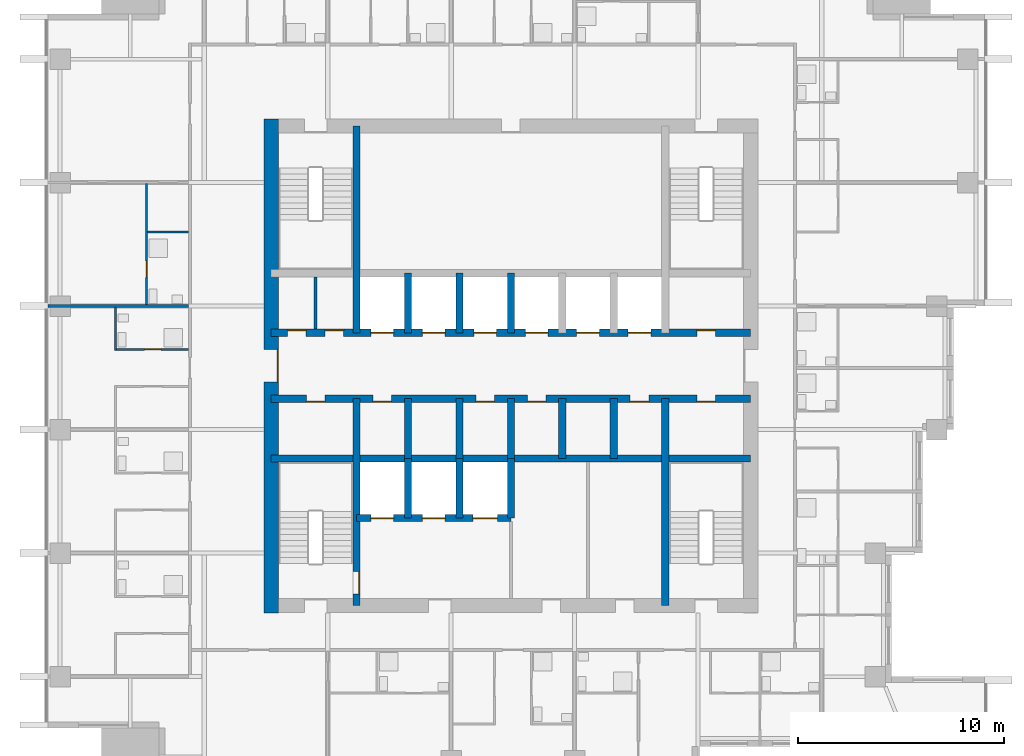
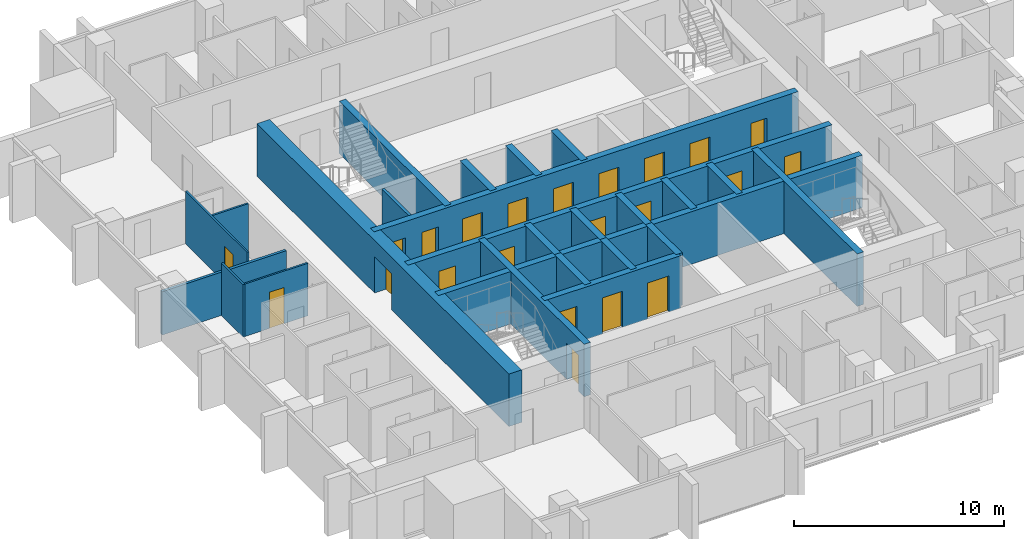
# One storey, part 5 of 10: 25 walls, 22 doors, 22 openings.
"""IFC4 building model written with IfcOpenShell, lengths in metres."""

from ifc_helpers import new_model, si_unit, direction, frame, frame_2d, origin, place, context, subcontext, project, spatial, rectangle, extrude, material, layer, layer_set, type_object, element, fill, save


model = new_model("IFC4")

# Units and contexts
model_context = context("Model", 3, precision=1e-05, world=origin(), true_north=direction((0.0, 1.0)))
body_context = subcontext(model_context, "Body", "Model", "MODEL_VIEW")
ifc_project = project(units=[si_unit("LENGTHUNIT", "METRE"), si_unit("AREAUNIT", "SQUARE_METRE"), si_unit("VOLUMEUNIT", "CUBIC_METRE"), si_unit("PLANEANGLEUNIT", "RADIAN"), si_unit("MASSUNIT", "GRAM", prefix="KILO")], contexts=[model_context])

# Site, building, storey
site_placement = place(None, origin())
site = spatial("IfcSite", under=ifc_project, at=site_placement, CompositionType="ELEMENT")
building_placement = place(site_placement, origin())
building = spatial("IfcBuilding", under=site, at=building_placement, Name="Amberfall Residences", CompositionType="ELEMENT")
storey_placement = place(building_placement, frame((0.0, 0.0, 158.199951171875)))
storey = spatial("IfcBuildingStorey", under=building, at=storey_placement, Name="L42", CompositionType="ELEMENT", Elevation=158.199951171875)

# Wall
ifc_material_1 = material(Name="Concrete C60", Category="concrete")
ifc_layer_1 = layer(ifc_material_1, 0.35009765625)
ifc_layer_set_1 = layer_set([ifc_layer_1], Name="Core wall 350 C60")
wall_type_1 = type_object("IfcWallType", Name="Core wall 350 C60", PredefinedType="SHEAR", material=ifc_layer_set_1)
wall_1_placement = place(storey_placement, frame((62.85009765625, 41.0, 0.0), z_axis=(0.0, 0.0, 1.0), x_axis=(1.0, 0.0, 0.0)))
element("IfcWall", 1, at=wall_1_placement, inside=storey, type_object=wall_type_1, Name="Core wall RW6 L42 H75", PredefinedType="SHEAR", context=body_context, shape_type="SweptSolid", body=[
    extrude(rectangle(XDim=23.2998046875, YDim=0.35009765625, at=frame_2d((11.64990234375, 0.0))), origin(), (0.0, 0.0, 1.0), 3.050048828125),
])

# Wall, openings, doors
wall_2_placement = place(storey_placement, frame((62.85009765625, 43.89990234375, 0.0), z_axis=(0.0, 0.0, 1.0), x_axis=(1.0, 0.0, 0.0)))
wall_2 = element("IfcWall", 2, at=wall_2_placement, inside=storey, type_object=wall_type_1, Name="Core wall RW6 L42 H104", PredefinedType="SHEAR", context=body_context, shape_type="SweptSolid", body=[
    extrude(rectangle(XDim=23.2998046875, YDim=0.35009765625, at=frame_2d((11.64990234375, 0.0))), origin(), (0.0, 0.0, 1.0), 3.050048828125),
])
opening_1_placement = place(wall_2_placement, frame((1.71240234375, 0.0, 0.0)))
opening_1 = element("IfcOpeningElement", 3, at=opening_1_placement, cuts=wall_2, Name="Opening RD1", PredefinedType="OPENING", context=body_context, shape_type="SweptSolid", body=[
    extrude(rectangle(XDim=0.89990234375, YDim=2.10009765625, at=frame_2d((0.449951171875, 1.050048828125))), frame((0.0, 0.18505859375, 0.0), z_axis=(0.0, -1.0, 0.0), x_axis=(1.0, 0.0, 0.0)), (0.0, 0.0, 1.0), 0.3701171875),
])
opening_2_placement = place(wall_2_placement, frame((20.6875, 0.0, 0.0)))
opening_2 = element("IfcOpeningElement", 4, at=opening_2_placement, cuts=wall_2, Name="Opening RD1", PredefinedType="OPENING", context=body_context, shape_type="SweptSolid", body=[
    extrude(rectangle(XDim=0.89990234375, YDim=2.10009765625, at=frame_2d((0.449951171875, 1.050048828125))), frame((0.0, 0.18505859375, 0.0), z_axis=(0.0, -1.0, 0.0), x_axis=(1.0, 0.0, 0.0)), (0.0, 0.0, 1.0), 0.3701171875),
])
opening_3_placement = place(wall_2_placement, frame((4.949951171875, 0.0, 0.0)))
opening_3 = element("IfcOpeningElement", 5, at=opening_3_placement, cuts=wall_2, Name="Opening RD1", PredefinedType="OPENING", context=body_context, shape_type="SweptSolid", body=[
    extrude(rectangle(XDim=0.89990234375, YDim=2.10009765625, at=frame_2d((0.449951171875, 1.050048828125))), frame((0.0, 0.18505859375, 0.0), z_axis=(0.0, -1.0, 0.0), x_axis=(1.0, 0.0, 0.0)), (0.0, 0.0, 1.0), 0.3701171875),
])
opening_4_placement = place(wall_2_placement, frame((9.949951171875, 0.0, 0.0)))
opening_4 = element("IfcOpeningElement", 6, at=opening_4_placement, cuts=wall_2, Name="Opening RD1", PredefinedType="OPENING", context=body_context, shape_type="SweptSolid", body=[
    extrude(rectangle(XDim=0.89990234375, YDim=2.10009765625, at=frame_2d((0.449951171875, 1.050048828125))), frame((0.0, 0.18505859375, 0.0), z_axis=(0.0, -1.0, 0.0), x_axis=(1.0, 0.0, 0.0)), (0.0, 0.0, 1.0), 0.3701171875),
])
opening_5_placement = place(wall_2_placement, frame((12.449951171875, 0.0, 0.0)))
opening_5 = element("IfcOpeningElement", 7, at=opening_5_placement, cuts=wall_2, Name="Opening RD1", PredefinedType="OPENING", context=body_context, shape_type="SweptSolid", body=[
    extrude(rectangle(XDim=0.89990234375, YDim=2.10009765625, at=frame_2d((0.449951171875, 1.050048828125))), frame((0.0, 0.18505859375, 0.0), z_axis=(0.0, -1.0, 0.0), x_axis=(1.0, 0.0, 0.0)), (0.0, 0.0, 1.0), 0.3701171875),
])
opening_6_placement = place(wall_2_placement, frame((17.449951171875, 0.0, 0.0)))
opening_6 = element("IfcOpeningElement", 8, at=opening_6_placement, cuts=wall_2, Name="Opening RD1", PredefinedType="OPENING", context=body_context, shape_type="SweptSolid", body=[
    extrude(rectangle(XDim=0.89990234375, YDim=2.10009765625, at=frame_2d((0.449951171875, 1.050048828125))), frame((0.0, 0.18505859375, 0.0), z_axis=(0.0, -1.0, 0.0), x_axis=(1.0, 0.0, 0.0)), (0.0, 0.0, 1.0), 0.3701171875),
])
ifc_material_2 = material(Name="Steel fire door set", Category="steel")
door_type_1 = type_object("IfcDoorType", Name="Service room door 900 x 2100", OperationType="SINGLE_SWING_LEFT", PredefinedType="DOOR", material=ifc_material_2)
door_1_placement = place(opening_1_placement, origin())
door_1 = element("IfcDoor", 9, at=door_1_placement, inside=storey, type_object=door_type_1, Name="RD1 L42", OperationType="SINGLE_SWING_LEFT", OverallHeight=2.10009765625, OverallWidth=0.89990234375, PredefinedType="DOOR", context=body_context, shape_type="SweptSolid", body=[
    extrude(rectangle(XDim=0.89990234375, YDim=2.10009765625, at=frame_2d((0.449951171875, 1.050048828125))), frame((0.0, -0.1123046875, 0.0), z_axis=(0.0, -1.0, 0.0), x_axis=(1.0, 0.0, 0.0)), (0.0, 0.0, 1.0), 0.050048828125),
])
fill(opening_1, door_1)
door_2_placement = place(opening_2_placement, origin())
door_2 = element("IfcDoor", 10, at=door_2_placement, inside=storey, type_object=door_type_1, Name="RD1 L42", OperationType="SINGLE_SWING_LEFT", OverallHeight=2.10009765625, OverallWidth=0.89990234375, PredefinedType="DOOR", context=body_context, shape_type="SweptSolid", body=[
    extrude(rectangle(XDim=0.89990234375, YDim=2.10009765625, at=frame_2d((0.449951171875, 1.050048828125))), frame((0.0, -0.1123046875, 0.0), z_axis=(0.0, -1.0, 0.0), x_axis=(1.0, 0.0, 0.0)), (0.0, 0.0, 1.0), 0.050048828125),
])
fill(opening_2, door_2)
door_3_placement = place(opening_3_placement, origin())
door_3 = element("IfcDoor", 11, at=door_3_placement, inside=storey, type_object=door_type_1, Name="RD1 L42", OperationType="SINGLE_SWING_RIGHT", OverallHeight=2.10009765625, OverallWidth=0.89990234375, PredefinedType="DOOR", context=body_context, shape_type="SweptSolid", body=[
    extrude(rectangle(XDim=0.89990234375, YDim=2.10009765625, at=frame_2d((0.449951171875, 1.050048828125))), frame((0.0, -0.1123046875, 0.0), z_axis=(0.0, -1.0, 0.0), x_axis=(1.0, 0.0, 0.0)), (0.0, 0.0, 1.0), 0.050048828125),
])
fill(opening_3, door_3)
door_4_placement = place(opening_4_placement, origin())
door_4 = element("IfcDoor", 12, at=door_4_placement, inside=storey, type_object=door_type_1, Name="RD1 L42", OperationType="SINGLE_SWING_RIGHT", OverallHeight=2.10009765625, OverallWidth=0.89990234375, PredefinedType="DOOR", context=body_context, shape_type="SweptSolid", body=[
    extrude(rectangle(XDim=0.89990234375, YDim=2.10009765625, at=frame_2d((0.449951171875, 1.050048828125))), frame((0.0, -0.1123046875, 0.0), z_axis=(0.0, -1.0, 0.0), x_axis=(1.0, 0.0, 0.0)), (0.0, 0.0, 1.0), 0.050048828125),
])
fill(opening_4, door_4)
door_5_placement = place(opening_5_placement, origin())
door_5 = element("IfcDoor", 13, at=door_5_placement, inside=storey, type_object=door_type_1, Name="RD1 L42", OperationType="SINGLE_SWING_LEFT", OverallHeight=2.10009765625, OverallWidth=0.89990234375, PredefinedType="DOOR", context=body_context, shape_type="SweptSolid", body=[
    extrude(rectangle(XDim=0.89990234375, YDim=2.10009765625, at=frame_2d((0.449951171875, 1.050048828125))), frame((0.0, -0.1123046875, 0.0), z_axis=(0.0, -1.0, 0.0), x_axis=(1.0, 0.0, 0.0)), (0.0, 0.0, 1.0), 0.050048828125),
])
fill(opening_5, door_5)
door_6_placement = place(opening_6_placement, origin())
door_6 = element("IfcDoor", 14, at=door_6_placement, inside=storey, type_object=door_type_1, Name="RD1 L42", OperationType="SINGLE_SWING_LEFT", OverallHeight=2.10009765625, OverallWidth=0.89990234375, PredefinedType="DOOR", context=body_context, shape_type="SweptSolid", body=[
    extrude(rectangle(XDim=0.89990234375, YDim=2.10009765625, at=frame_2d((0.449951171875, 1.050048828125))), frame((0.0, -0.1123046875, 0.0), z_axis=(0.0, -1.0, 0.0), x_axis=(1.0, 0.0, 0.0)), (0.0, 0.0, 1.0), 0.050048828125),
])
fill(opening_6, door_6)

wall_3_placement = place(storey_placement, frame((62.85009765625, 47.10009765625, 0.0), z_axis=(0.0, 0.0, 1.0), x_axis=(1.0, 0.0, 0.0)))
wall_3 = element("IfcWall", 15, at=wall_3_placement, inside=storey, type_object=wall_type_1, Name="Core wall RW6 L42 H136", PredefinedType="SHEAR", context=body_context, shape_type="SweptSolid", body=[
    extrude(rectangle(XDim=23.2998046875, YDim=0.35009765625, at=frame_2d((11.64990234375, 0.0))), origin(), (0.0, 0.0, 1.0), 3.050048828125),
])
opening_7_placement = place(wall_3_placement, frame((0.806396484375, 0.0, 0.0)))
opening_7 = element("IfcOpeningElement", 16, at=opening_7_placement, cuts=wall_3, Name="Opening RD1", PredefinedType="OPENING", context=body_context, shape_type="SweptSolid", body=[
    extrude(rectangle(XDim=0.89990234375, YDim=2.10009765625, at=frame_2d((0.449951171875, 1.050048828125))), frame((0.0, 0.18505859375, 0.0), z_axis=(0.0, -1.0, 0.0), x_axis=(1.0, 0.0, 0.0)), (0.0, 0.0, 1.0), 0.3701171875),
])
opening_8_placement = place(wall_3_placement, frame((2.618896484375, 0.0, 0.0)))
opening_8 = element("IfcOpeningElement", 17, at=opening_8_placement, cuts=wall_3, Name="Opening RD1", PredefinedType="OPENING", context=body_context, shape_type="SweptSolid", body=[
    extrude(rectangle(XDim=0.89990234375, YDim=2.10009765625, at=frame_2d((0.449951171875, 1.050048828125))), frame((0.0, 0.18505859375, 0.0), z_axis=(0.0, -1.0, 0.0), x_axis=(1.0, 0.0, 0.0)), (0.0, 0.0, 1.0), 0.3701171875),
])
opening_9_placement = place(wall_3_placement, frame((20.6875, 0.0, 0.0)))
opening_9 = element("IfcOpeningElement", 18, at=opening_9_placement, cuts=wall_3, Name="Opening RD1", PredefinedType="OPENING", context=body_context, shape_type="SweptSolid", body=[
    extrude(rectangle(XDim=0.89990234375, YDim=2.10009765625, at=frame_2d((0.449951171875, 1.050048828125))), frame((0.0, 0.18505859375, 0.0), z_axis=(0.0, -1.0, 0.0), x_axis=(1.0, 0.0, 0.0)), (0.0, 0.0, 1.0), 0.3701171875),
])
opening_10_placement = place(wall_3_placement, frame((4.85009765625, 0.0, 0.0)))
opening_10 = element("IfcOpeningElement", 19, at=opening_10_placement, cuts=wall_3, Name="Opening LD1", PredefinedType="OPENING", context=body_context, shape_type="SweptSolid", body=[
    extrude(rectangle(XDim=1.10009765625, YDim=2.10009765625, at=frame_2d((0.550048828125, 1.050048828125))), frame((0.0, 0.18505859375, 0.0), z_axis=(0.0, -1.0, 0.0), x_axis=(1.0, 0.0, 0.0)), (0.0, 0.0, 1.0), 0.3701171875),
])
opening_11_placement = place(wall_3_placement, frame((7.35009765625, 0.0, 0.0)))
opening_11 = element("IfcOpeningElement", 20, at=opening_11_placement, cuts=wall_3, Name="Opening LD1", PredefinedType="OPENING", context=body_context, shape_type="SweptSolid", body=[
    extrude(rectangle(XDim=1.10009765625, YDim=2.10009765625, at=frame_2d((0.550048828125, 1.050048828125))), frame((0.0, 0.18505859375, 0.0), z_axis=(0.0, -1.0, 0.0), x_axis=(1.0, 0.0, 0.0)), (0.0, 0.0, 1.0), 0.3701171875),
])
opening_12_placement = place(wall_3_placement, frame((9.85009765625, 0.0, 0.0)))
opening_12 = element("IfcOpeningElement", 21, at=opening_12_placement, cuts=wall_3, Name="Opening LD1", PredefinedType="OPENING", context=body_context, shape_type="SweptSolid", body=[
    extrude(rectangle(XDim=1.10009765625, YDim=2.10009765625, at=frame_2d((0.550048828125, 1.050048828125))), frame((0.0, 0.18505859375, 0.0), z_axis=(0.0, -1.0, 0.0), x_axis=(1.0, 0.0, 0.0)), (0.0, 0.0, 1.0), 0.3701171875),
])
opening_13_placement = place(wall_3_placement, frame((12.35009765625, 0.0, 0.0)))
opening_13 = element("IfcOpeningElement", 22, at=opening_13_placement, cuts=wall_3, Name="Opening LD1", PredefinedType="OPENING", context=body_context, shape_type="SweptSolid", body=[
    extrude(rectangle(XDim=1.10009765625, YDim=2.10009765625, at=frame_2d((0.550048828125, 1.050048828125))), frame((0.0, 0.18505859375, 0.0), z_axis=(0.0, -1.0, 0.0), x_axis=(1.0, 0.0, 0.0)), (0.0, 0.0, 1.0), 0.3701171875),
])
opening_14_placement = place(wall_3_placement, frame((14.85009765625, 0.0, 0.0)))
opening_14 = element("IfcOpeningElement", 23, at=opening_14_placement, cuts=wall_3, Name="Opening LD1", PredefinedType="OPENING", context=body_context, shape_type="SweptSolid", body=[
    extrude(rectangle(XDim=1.10009765625, YDim=2.10009765625, at=frame_2d((0.550048828125, 1.050048828125))), frame((0.0, 0.18505859375, 0.0), z_axis=(0.0, -1.0, 0.0), x_axis=(1.0, 0.0, 0.0)), (0.0, 0.0, 1.0), 0.3701171875),
])
opening_15_placement = place(wall_3_placement, frame((17.35009765625, 0.0, 0.0)))
opening_15 = element("IfcOpeningElement", 24, at=opening_15_placement, cuts=wall_3, Name="Opening LD1", PredefinedType="OPENING", context=body_context, shape_type="SweptSolid", body=[
    extrude(rectangle(XDim=1.10009765625, YDim=2.10009765625, at=frame_2d((0.550048828125, 1.050048828125))), frame((0.0, 0.18505859375, 0.0), z_axis=(0.0, -1.0, 0.0), x_axis=(1.0, 0.0, 0.0)), (0.0, 0.0, 1.0), 0.3701171875),
])
door_type_2 = type_object("IfcDoorType", Name="Lift landing door 1100 x 2100", OperationType="DOUBLE_DOOR_SLIDING", PredefinedType="DOOR", material=ifc_material_2)
door_7_placement = place(opening_10_placement, origin())
door_7 = element("IfcDoor", 25, at=door_7_placement, inside=storey, type_object=door_type_2, Name="Landing door HP1 L42", OperationType="DOUBLE_DOOR_SLIDING", OverallHeight=2.10009765625, OverallWidth=1.10009765625, PredefinedType="DOOR", context=body_context, shape_type="SweptSolid", body=[
    extrude(rectangle(XDim=1.10009765625, YDim=2.10009765625, at=frame_2d((0.550048828125, 1.050048828125))), frame((0.0, 0.02490234375, 0.0), z_axis=(0.0, -1.0, 0.0), x_axis=(1.0, 0.0, 0.0)), (0.0, 0.0, 1.0), 0.050048828125),
])
fill(opening_10, door_7)
door_8_placement = place(opening_11_placement, origin())
door_8 = element("IfcDoor", 26, at=door_8_placement, inside=storey, type_object=door_type_2, Name="Landing door HP2 L42", OperationType="DOUBLE_DOOR_SLIDING", OverallHeight=2.10009765625, OverallWidth=1.10009765625, PredefinedType="DOOR", context=body_context, shape_type="SweptSolid", body=[
    extrude(rectangle(XDim=1.10009765625, YDim=2.10009765625, at=frame_2d((0.550048828125, 1.050048828125))), frame((0.0, 0.02490234375, 0.0), z_axis=(0.0, -1.0, 0.0), x_axis=(1.0, 0.0, 0.0)), (0.0, 0.0, 1.0), 0.050048828125),
])
fill(opening_11, door_8)
door_9_placement = place(opening_12_placement, origin())
door_9 = element("IfcDoor", 27, at=door_9_placement, inside=storey, type_object=door_type_2, Name="Landing door HP3 L42", OperationType="DOUBLE_DOOR_SLIDING", OverallHeight=2.10009765625, OverallWidth=1.10009765625, PredefinedType="DOOR", context=body_context, shape_type="SweptSolid", body=[
    extrude(rectangle(XDim=1.10009765625, YDim=2.10009765625, at=frame_2d((0.550048828125, 1.050048828125))), frame((0.0, 0.02490234375, 0.0), z_axis=(0.0, -1.0, 0.0), x_axis=(1.0, 0.0, 0.0)), (0.0, 0.0, 1.0), 0.050048828125),
])
fill(opening_12, door_9)
door_10_placement = place(opening_13_placement, origin())
door_10 = element("IfcDoor", 28, at=door_10_placement, inside=storey, type_object=door_type_2, Name="Landing door HP4 L42", OperationType="DOUBLE_DOOR_SLIDING", OverallHeight=2.10009765625, OverallWidth=1.10009765625, PredefinedType="DOOR", context=body_context, shape_type="SweptSolid", body=[
    extrude(rectangle(XDim=1.10009765625, YDim=2.10009765625, at=frame_2d((0.550048828125, 1.050048828125))), frame((0.0, 0.02490234375, 0.0), z_axis=(0.0, -1.0, 0.0), x_axis=(1.0, 0.0, 0.0)), (0.0, 0.0, 1.0), 0.050048828125),
])
fill(opening_13, door_10)
door_11_placement = place(opening_14_placement, origin())
door_11 = element("IfcDoor", 29, at=door_11_placement, inside=storey, type_object=door_type_2, Name="Landing door HP5 L42", OperationType="DOUBLE_DOOR_SLIDING", OverallHeight=2.10009765625, OverallWidth=1.10009765625, PredefinedType="DOOR", context=body_context, shape_type="SweptSolid", body=[
    extrude(rectangle(XDim=1.10009765625, YDim=2.10009765625, at=frame_2d((0.550048828125, 1.050048828125))), frame((0.0, 0.02490234375, 0.0), z_axis=(0.0, -1.0, 0.0), x_axis=(1.0, 0.0, 0.0)), (0.0, 0.0, 1.0), 0.050048828125),
])
fill(opening_14, door_11)
door_12_placement = place(opening_15_placement, origin())
door_12 = element("IfcDoor", 30, at=door_12_placement, inside=storey, type_object=door_type_2, Name="Landing door HP6 L42", OperationType="DOUBLE_DOOR_SLIDING", OverallHeight=2.10009765625, OverallWidth=1.10009765625, PredefinedType="DOOR", context=body_context, shape_type="SweptSolid", body=[
    extrude(rectangle(XDim=1.10009765625, YDim=2.10009765625, at=frame_2d((0.550048828125, 1.050048828125))), frame((0.0, 0.02490234375, 0.0), z_axis=(0.0, -1.0, 0.0), x_axis=(1.0, 0.0, 0.0)), (0.0, 0.0, 1.0), 0.050048828125),
])
fill(opening_15, door_12)
door_13_placement = place(opening_7_placement, origin())
door_13 = element("IfcDoor", 31, at=door_13_placement, inside=storey, type_object=door_type_1, Name="RD1 L42", OperationType="SINGLE_SWING_LEFT", OverallHeight=2.10009765625, OverallWidth=0.89990234375, PredefinedType="DOOR", context=body_context, shape_type="SweptSolid", body=[
    extrude(rectangle(XDim=0.89990234375, YDim=2.10009765625, at=frame_2d((0.449951171875, 1.050048828125))), frame((0.0, 0.16259765625, 0.0), z_axis=(0.0, -1.0, 0.0), x_axis=(1.0, 0.0, 0.0)), (0.0, 0.0, 1.0), 0.050048828125),
])
fill(opening_7, door_13)
door_14_placement = place(opening_8_placement, origin())
door_14 = element("IfcDoor", 32, at=door_14_placement, inside=storey, type_object=door_type_1, Name="RD1 L42", OperationType="SINGLE_SWING_RIGHT", OverallHeight=2.10009765625, OverallWidth=0.89990234375, PredefinedType="DOOR", context=body_context, shape_type="SweptSolid", body=[
    extrude(rectangle(XDim=0.89990234375, YDim=2.10009765625, at=frame_2d((0.449951171875, 1.050048828125))), frame((0.0, 0.16259765625, 0.0), z_axis=(0.0, -1.0, 0.0), x_axis=(1.0, 0.0, 0.0)), (0.0, 0.0, 1.0), 0.050048828125),
])
fill(opening_8, door_14)
door_15_placement = place(opening_9_placement, origin())
door_15 = element("IfcDoor", 33, at=door_15_placement, inside=storey, type_object=door_type_1, Name="RD1 L42", OperationType="SINGLE_SWING_LEFT", OverallHeight=2.10009765625, OverallWidth=0.89990234375, PredefinedType="DOOR", context=body_context, shape_type="SweptSolid", body=[
    extrude(rectangle(XDim=0.89990234375, YDim=2.10009765625, at=frame_2d((0.449951171875, 1.050048828125))), frame((0.0, 0.16259765625, 0.0), z_axis=(0.0, -1.0, 0.0), x_axis=(1.0, 0.0, 0.0)), (0.0, 0.0, 1.0), 0.050048828125),
])
fill(opening_9, door_15)

# Wall, opening, door
wall_4_placement = place(storey_placement, frame((67.0, 33.85009765625, 0.0), z_axis=(0.0, 0.0, 1.0), x_axis=(0.0, 1.0, 0.0)))
wall_4 = element("IfcWall", 34, at=wall_4_placement, inside=storey, type_object=wall_type_1, Name="Core wall RW6 L42 V45S", PredefinedType="SHEAR", context=body_context, shape_type="SweptSolid", body=[
    extrude(rectangle(XDim=10.0498046875, YDim=0.35009765625, at=frame_2d((5.02490234375, 0.0))), origin(), (0.0, 0.0, 1.0), 3.050048828125),
])
opening_16_placement = place(wall_4_placement, frame((0.550048828125, 0.0, 0.0)))
opening_16 = element("IfcOpeningElement", 35, at=opening_16_placement, cuts=wall_4, Name="Opening FL1", PredefinedType="OPENING", context=body_context, shape_type="SweptSolid", body=[
    extrude(rectangle(XDim=1.10009765625, YDim=2.10009765625, at=frame_2d((0.550048828125, 1.050048828125))), frame((0.0, 0.18505859375, 0.0), z_axis=(0.0, -1.0, 0.0), x_axis=(1.0, 0.0, 0.0)), (0.0, 0.0, 1.0), 0.3701171875),
])
door_type_3 = type_object("IfcDoorType", Name="Firefighting lobby door 1100 x 2100", OperationType="SINGLE_SWING_LEFT", PredefinedType="DOOR", material=ifc_material_2)
door_16_placement = place(opening_16_placement, origin())
door_16 = element("IfcDoor", 36, at=door_16_placement, inside=storey, type_object=door_type_3, Name="FL1 L42", OperationType="SINGLE_SWING_RIGHT", OverallHeight=2.10009765625, OverallWidth=1.10009765625, PredefinedType="DOOR", context=body_context, shape_type="SweptSolid", body=[
    extrude(rectangle(XDim=1.10009765625, YDim=2.10009765625, at=frame_2d((0.550048828125, 1.050048828125))), frame((0.0, -0.1123046875, 0.0), z_axis=(0.0, -1.0, 0.0), x_axis=(1.0, 0.0, 0.0)), (0.0, 0.0, 1.0), 0.050048828125),
])
fill(opening_16, door_16)

# Walls
for number, where, z_axis, x_axis, name in (
    (37, (67.0, 47.10009765625, 0.0), (0.0, 0.0, 1.0), (0.0, 1.0, 0.0), "Core wall RW6 L42 V45N"),
    (38, (82.0, 33.85009765625, 0.0), (0.0, 0.0, 1.0), (0.0, 1.0, 0.0), "Core wall RW6 L42 V195S"),
):
    element("IfcWall", number, at=place(storey_placement, frame(where, z_axis=z_axis, x_axis=x_axis)), inside=storey, type_object=wall_type_1, Name=name, PredefinedType="SHEAR", context=body_context, shape_type="SweptSolid", body=[
        extrude(rectangle(XDim=10.0498046875, YDim=0.35009765625, at=frame_2d((5.02490234375, 0.0))), origin(), (0.0, 0.0, 1.0), 3.050048828125),
    ])
for number, where, z_axis, x_axis, name in (
    (39, (69.5, 41.0, 0.0), (0.0, 0.0, 1.0), (0.0, 1.0, 0.0), "Core wall RW6 L42 LPD1"),
    (40, (69.5, 47.10009765625, 0.0), (0.0, 0.0, 1.0), (0.0, 1.0, 0.0), "Core wall RW6 L42 HPD1"),
    (41, (72.0, 41.0, 0.0), (0.0, 0.0, 1.0), (0.0, 1.0, 0.0), "Core wall RW6 L42 LPD2"),
    (42, (72.0, 47.10009765625, 0.0), (0.0, 0.0, 1.0), (0.0, 1.0, 0.0), "Core wall RW6 L42 HPD2"),
    (43, (74.5, 41.0, 0.0), (0.0, 0.0, 1.0), (0.0, 1.0, 0.0), "Core wall RW6 L42 LPD3"),
    (44, (74.5, 47.10009765625, 0.0), (0.0, 0.0, 1.0), (0.0, 1.0, 0.0), "Core wall RW6 L42 HPD3"),
    (45, (77.0, 41.0, 0.0), (0.0, 0.0, 1.0), (0.0, 1.0, 0.0), "Core wall RW6 L42 LPD4"),
    (46, (79.5, 41.0, 0.0), (0.0, 0.0, 1.0), (0.0, 1.0, 0.0), "Core wall RW6 L42 LPD5"),
):
    element("IfcWall", number, at=place(storey_placement, frame(where, z_axis=z_axis, x_axis=x_axis)), inside=storey, type_object=wall_type_1, Name=name, PredefinedType="SHEAR", context=body_context, shape_type="SweptSolid", body=[
        extrude(rectangle(XDim=2.89990234375, YDim=0.35009765625, at=frame_2d((1.449951171875, 0.0))), origin(), (0.0, 0.0, 1.0), 3.050048828125),
    ])

# Wall, openings, doors
wall_5_placement = place(storey_placement, frame((67.0, 38.10009765625, 0.0), z_axis=(0.0, 0.0, 1.0), x_axis=(1.0, 0.0, 0.0)))
wall_5 = element("IfcWall", 47, at=wall_5_placement, inside=storey, type_object=wall_type_1, Name="Core wall RW6 L42 FFF", PredefinedType="SHEAR", context=body_context, shape_type="SweptSolid", body=[
    extrude(rectangle(XDim=7.5, YDim=0.35009765625, at=frame_2d((3.75, 0.0))), origin(), (0.0, 0.0, 1.0), 3.050048828125),
])
opening_17_placement = place(wall_5_placement, frame((0.699951171875, 0.0, 0.0)))
opening_17 = element("IfcOpeningElement", 48, at=opening_17_placement, cuts=wall_5, Name="Opening LD2", PredefinedType="OPENING", context=body_context, shape_type="SweptSolid", body=[
    extrude(rectangle(XDim=1.10009765625, YDim=2.10009765625, at=frame_2d((0.550048828125, 1.050048828125))), frame((0.0, 0.18505859375, 0.0), z_axis=(0.0, -1.0, 0.0), x_axis=(1.0, 0.0, 0.0)), (0.0, 0.0, 1.0), 0.3701171875),
])
opening_18_placement = place(wall_5_placement, frame((3.199951171875, 0.0, 0.0)))
opening_18 = element("IfcOpeningElement", 49, at=opening_18_placement, cuts=wall_5, Name="Opening LD2", PredefinedType="OPENING", context=body_context, shape_type="SweptSolid", body=[
    extrude(rectangle(XDim=1.10009765625, YDim=2.10009765625, at=frame_2d((0.550048828125, 1.050048828125))), frame((0.0, 0.18505859375, 0.0), z_axis=(0.0, -1.0, 0.0), x_axis=(1.0, 0.0, 0.0)), (0.0, 0.0, 1.0), 0.3701171875),
])
opening_19_placement = place(wall_5_placement, frame((5.64990234375, 0.0, 0.0)))
opening_19 = element("IfcOpeningElement", 50, at=opening_19_placement, cuts=wall_5, Name="Opening LD3", PredefinedType="OPENING", context=body_context, shape_type="SweptSolid", body=[
    extrude(rectangle(XDim=1.199951171875, YDim=2.10009765625, at=frame_2d((0.60009765625, 1.050048828125))), frame((0.0, 0.18505859375, 0.0), z_axis=(0.0, -1.0, 0.0), x_axis=(1.0, 0.0, 0.0)), (0.0, 0.0, 1.0), 0.3701171875),
])
door_type_4 = type_object("IfcDoorType", Name="Firefighting lift landing door 1100 x 2100", OperationType="DOUBLE_DOOR_SLIDING", PredefinedType="DOOR", material=ifc_material_2)
door_17_placement = place(opening_17_placement, origin())
door_17 = element("IfcDoor", 51, at=door_17_placement, inside=storey, type_object=door_type_4, Name="Landing door FF1 L42", OperationType="DOUBLE_DOOR_SLIDING", OverallHeight=2.10009765625, OverallWidth=1.10009765625, PredefinedType="DOOR", context=body_context, shape_type="SweptSolid", body=[
    extrude(rectangle(XDim=1.10009765625, YDim=2.10009765625, at=frame_2d((0.550048828125, 1.050048828125))), frame((0.0, 0.02490234375, 0.0), z_axis=(0.0, -1.0, 0.0), x_axis=(1.0, 0.0, 0.0)), (0.0, 0.0, 1.0), 0.050048828125),
])
fill(opening_17, door_17)
door_18_placement = place(opening_18_placement, origin())
door_18 = element("IfcDoor", 52, at=door_18_placement, inside=storey, type_object=door_type_4, Name="Landing door FF2 L42", OperationType="DOUBLE_DOOR_SLIDING", OverallHeight=2.10009765625, OverallWidth=1.10009765625, PredefinedType="DOOR", context=body_context, shape_type="SweptSolid", body=[
    extrude(rectangle(XDim=1.10009765625, YDim=2.10009765625, at=frame_2d((0.550048828125, 1.050048828125))), frame((0.0, 0.02490234375, 0.0), z_axis=(0.0, -1.0, 0.0), x_axis=(1.0, 0.0, 0.0)), (0.0, 0.0, 1.0), 0.050048828125),
])
fill(opening_18, door_18)
door_type_5 = type_object("IfcDoorType", Name="Service lift landing door 1200 x 2100", OperationType="DOUBLE_DOOR_SLIDING", PredefinedType="DOOR", material=ifc_material_2)
door_19_placement = place(opening_19_placement, origin())
door_19 = element("IfcDoor", 53, at=door_19_placement, inside=storey, type_object=door_type_5, Name="Landing door SL1 L42", OperationType="DOUBLE_DOOR_SLIDING", OverallHeight=2.10009765625, OverallWidth=1.199951171875, PredefinedType="DOOR", context=body_context, shape_type="SweptSolid", body=[
    extrude(rectangle(XDim=1.199951171875, YDim=2.10009765625, at=frame_2d((0.60009765625, 1.050048828125))), frame((0.0, 0.02490234375, 0.0), z_axis=(0.0, -1.0, 0.0), x_axis=(1.0, 0.0, 0.0)), (0.0, 0.0, 1.0), 0.050048828125),
])
fill(opening_19, door_19)

# Walls
for number, where, z_axis, x_axis, name in (
    (54, (69.5, 38.10009765625, 0.0), (0.0, 0.0, 1.0), (0.0, 1.0, 0.0), "Core wall RW6 L42 FFD1"),
    (55, (72.0, 38.10009765625, 0.0), (0.0, 0.0, 1.0), (0.0, 1.0, 0.0), "Core wall RW6 L42 FFD2"),
    (56, (74.5, 38.10009765625, 0.0), (0.0, 0.0, 1.0), (0.0, 1.0, 0.0), "Core wall RW6 L42 FFD3"),
):
    element("IfcWall", number, at=place(storey_placement, frame(where, z_axis=z_axis, x_axis=x_axis)), inside=storey, type_object=wall_type_1, Name=name, PredefinedType="SHEAR", context=body_context, shape_type="SweptSolid", body=[
        extrude(rectangle(XDim=2.89990234375, YDim=0.35009765625, at=frame_2d((1.449951171875, 0.0))), origin(), (0.0, 0.0, 1.0), 3.050048828125),
    ])

# Wall, opening, door
ifc_layer_2 = layer(ifc_material_1, 0.699951171875)
ifc_layer_set_2 = layer_set([ifc_layer_2], Name="Core wall 700 C60")
wall_type_2 = type_object("IfcWallType", Name="Core wall 700 C60", PredefinedType="SHEAR", material=ifc_layer_set_2)
wall_6_placement = place(storey_placement, frame((62.85009765625, 33.5, 0.0), z_axis=(0.0, 0.0, 1.0), x_axis=(0.0, 1.0, 0.0)))
wall_6 = element("IfcWall", 57, at=wall_6_placement, inside=storey, type_object=wall_type_2, Name="Core wall RW5 L42 OW", PredefinedType="SHEAR", context=body_context, shape_type="SweptSolid", body=[
    extrude(rectangle(XDim=24.0, YDim=0.699951171875, at=frame_2d((12.0, 0.0))), origin(), (0.0, 0.0, 1.0), 3.050048828125),
])
opening_20_placement = place(wall_6_placement, frame((11.199951171875, 0.0, 0.0)))
opening_20 = element("IfcOpeningElement", 58, at=opening_20_placement, cuts=wall_6, Name="Opening LB1", PredefinedType="OPENING", context=body_context, shape_type="SweptSolid", body=[
    extrude(rectangle(XDim=1.60009765625, YDim=2.10009765625, at=frame_2d((0.800048828125, 1.050048828125))), frame((0.0, 0.35986328125, 0.0), z_axis=(0.0, -1.0, 0.0), x_axis=(1.0, 0.0, 0.0)), (0.0, 0.0, 1.0), 0.719970703125),
])
door_type_6 = type_object("IfcDoorType", Name="Lift lobby double door 1600 x 2100", OperationType="DOUBLE_DOOR_SINGLE_SWING", PredefinedType="DOOR", material=ifc_material_2)
door_20_placement = place(opening_20_placement, origin())
door_20 = element("IfcDoor", 59, at=door_20_placement, inside=storey, type_object=door_type_6, Name="LB1 L42", OperationType="DOUBLE_DOOR_SINGLE_SWING", OverallHeight=2.10009765625, OverallWidth=1.60009765625, PredefinedType="DOOR", context=body_context, shape_type="SweptSolid", body=[
    extrude(rectangle(XDim=1.60009765625, YDim=2.10009765625, at=frame_2d((0.800048828125, 1.050048828125))), frame((0.0, -0.28759765625, 0.0), z_axis=(0.0, -1.0, 0.0), x_axis=(1.0, 0.0, 0.0)), (0.0, 0.0, 1.0), 0.050048828125),
])
fill(opening_20, door_20)

# Wall
ifc_material_3 = material(Name="Gypsum board on metal stud")
ifc_layer_3 = layer(ifc_material_3, 0.10009765625)
ifc_layer_set_3 = layer_set([ifc_layer_3], Name="Flat partition 100")
wall_type_3 = type_object("IfcWallType", Name="Flat partition 100", PredefinedType="PARTITIONING", material=ifc_layer_set_3)
wall_7_placement = place(storey_placement, frame((55.300048828125, 46.25, 0.0), z_axis=(0.0, 0.0, 1.0), x_axis=(0.0, 1.0, 0.0)))
element("IfcWall", 60, at=wall_7_placement, inside=storey, type_object=wall_type_3, Name="Partition 004", PredefinedType="PARTITIONING", context=body_context, shape_type="SweptSolid", body=[
    extrude(rectangle(XDim=2.074951171875, YDim=0.10009765625, at=frame_2d((1.03759765625, 0.0))), origin(), (0.0, 0.0, 1.0), 3.050048828125),
])

# Wall, opening, door
wall_8_placement = place(storey_placement, frame((56.800048828125, 54.35009765625, 0.0), z_axis=(0.0, 0.0, 1.0), x_axis=(0.0, -1.0, 0.0)))
wall_8 = element("IfcWall", 61, at=wall_8_placement, inside=storey, type_object=wall_type_3, Name="Partition 005", PredefinedType="PARTITIONING", context=body_context, shape_type="SweptSolid", body=[
    extrude(rectangle(XDim=5.875, YDim=0.10009765625, at=frame_2d((2.9375, 0.0))), origin(), (0.0, 0.0, 1.0), 3.050048828125),
])
opening_21_placement = place(wall_8_placement, frame((3.75, 0.0, 0.0)))
opening_21 = element("IfcOpeningElement", 62, at=opening_21_placement, cuts=wall_8, Name="Opening D42", PredefinedType="OPENING", context=body_context, shape_type="SweptSolid", body=[
    extrude(rectangle(XDim=0.800048828125, YDim=2.10009765625, at=frame_2d((0.39990234375, 1.050048828125))), frame((0.0, 0.06005859375, 0.0), z_axis=(0.0, -1.0, 0.0), x_axis=(1.0, 0.0, 0.0)), (0.0, 0.0, 1.0), 0.1201171875),
])
ifc_material_4 = material(Name="Timber", Category="wood")
door_type_7 = type_object("IfcDoorType", Name="Bathroom door 800 x 2100", OperationType="SINGLE_SWING_LEFT", PredefinedType="DOOR", material=ifc_material_4)
door_21_placement = place(opening_21_placement, origin())
door_21 = element("IfcDoor", 63, at=door_21_placement, inside=storey, type_object=door_type_7, Name="Door 4215 bath1", OperationType="SINGLE_SWING_LEFT", OverallHeight=2.10009765625, OverallWidth=0.800048828125, PredefinedType="DOOR", context=body_context, shape_type="SweptSolid", body=[
    extrude(rectangle(XDim=0.800048828125, YDim=2.10009765625, at=frame_2d((0.39990234375, 1.050048828125))), frame((0.0, 0.02490234375, 0.0), z_axis=(0.0, -1.0, 0.0), x_axis=(1.0, 0.0, 0.0)), (0.0, 0.0, 1.0), 0.050048828125),
])
fill(opening_21, door_21)

# Wall
wall_9_placement = place(storey_placement, frame((56.85009765625, 52.0, 0.0), z_axis=(0.0, 0.0, 1.0), x_axis=(1.0, 0.0, 0.0)))
element("IfcWall", 64, at=wall_9_placement, inside=storey, type_object=wall_type_3, Name="Partition 033", PredefinedType="PARTITIONING", context=body_context, shape_type="SweptSolid", body=[
    extrude(rectangle(XDim=1.974853515625, YDim=0.10009765625, at=frame_2d((0.9873046875, 0.0))), origin(), (0.0, 0.0, 1.0), 3.050048828125),
])

# Wall, opening, door
wall_10_placement = place(storey_placement, frame((55.35009765625, 46.300048828125, 0.0), z_axis=(0.0, 0.0, 1.0), x_axis=(1.0, 0.0, 0.0)))
wall_10 = element("IfcWall", 65, at=wall_10_placement, inside=storey, type_object=wall_type_3, Name="Partition 036", PredefinedType="PARTITIONING", context=body_context, shape_type="SweptSolid", body=[
    extrude(rectangle(XDim=3.474853515625, YDim=0.10009765625, at=frame_2d((1.7373046875, 0.0))), origin(), (0.0, 0.0, 1.0), 3.050048828125),
])
opening_22_placement = place(wall_10_placement, frame((1.35009765625, 0.0, 0.0)))
opening_22 = element("IfcOpeningElement", 66, at=opening_22_placement, cuts=wall_10, Name="Opening D42", PredefinedType="OPENING", context=body_context, shape_type="SweptSolid", body=[
    extrude(rectangle(XDim=0.800048828125, YDim=2.10009765625, at=frame_2d((0.39990234375, 1.050048828125))), frame((0.0, 0.06005859375, 0.0), z_axis=(0.0, -1.0, 0.0), x_axis=(1.0, 0.0, 0.0)), (0.0, 0.0, 1.0), 0.1201171875),
])
door_22_placement = place(opening_22_placement, origin())
door_22 = element("IfcDoor", 67, at=door_22_placement, inside=storey, type_object=door_type_7, Name="Door 4214 bath1", OperationType="SINGLE_SWING_LEFT", OverallHeight=2.10009765625, OverallWidth=0.800048828125, PredefinedType="DOOR", context=body_context, shape_type="SweptSolid", body=[
    extrude(rectangle(XDim=0.800048828125, YDim=2.10009765625, at=frame_2d((0.39990234375, 1.050048828125))), frame((0.0, 0.02490234375, 0.0), z_axis=(0.0, -1.0, 0.0), x_axis=(1.0, 0.0, 0.0)), (0.0, 0.0, 1.0), 0.050048828125),
])
fill(opening_22, door_22)

# Walls
ifc_material_5 = material(Name="Blockwork, plastered", Category="masonry")
ifc_layer_4 = layer(ifc_material_5, 0.14990234375)
ifc_layer_set_4 = layer_set([ifc_layer_4], Name="Flat separating wall 150")
wall_type_4 = type_object("IfcWallType", Name="Flat separating wall 150", PredefinedType="PARTITIONING", material=ifc_layer_set_4)
wall_11_placement = place(storey_placement, frame((52.0, 48.39990234375, 0.0), z_axis=(0.0, 0.0, 1.0), x_axis=(1.0, 0.0, 0.0)))
element("IfcWall", 68, at=wall_11_placement, inside=storey, type_object=wall_type_4, Name="Separating wall 063", PredefinedType="PARTITIONING", context=body_context, shape_type="SweptSolid", body=[
    extrude(rectangle(XDim=6.824951171875, YDim=0.14990234375, at=frame_2d((3.41259765625, 0.0))), origin(), (0.0, 0.0, 1.0), 2.51611328125),
])
ifc_material_6 = material(Name="Concrete blockwork", Category="masonry")
ifc_layer_5 = layer(ifc_material_6, 0.14990234375)
ifc_layer_set_5 = layer_set([ifc_layer_5], Name="Riser wall 150")
wall_type_5 = type_object("IfcWallType", Name="Riser wall 150", PredefinedType="PLUMBINGWALL", material=ifc_layer_set_5)
wall_12_placement = place(storey_placement, frame((65.012451171875, 47.27490234375, 0.0), z_axis=(0.0, 0.0, 1.0), x_axis=(0.0, 1.0, 0.0)))
element("IfcWall", 69, at=wall_12_placement, inside=storey, type_object=wall_type_5, Name="L42 core wall ANW0", PredefinedType="PLUMBINGWALL", context=body_context, shape_type="SweptSolid", body=[
    extrude(rectangle(XDim=2.550048828125, YDim=0.14990234375, at=frame_2d((1.27490234375, 0.0))), origin(), (0.0, 0.0, 1.0), 3.050048828125),
])

save(model, "model.ifc")
